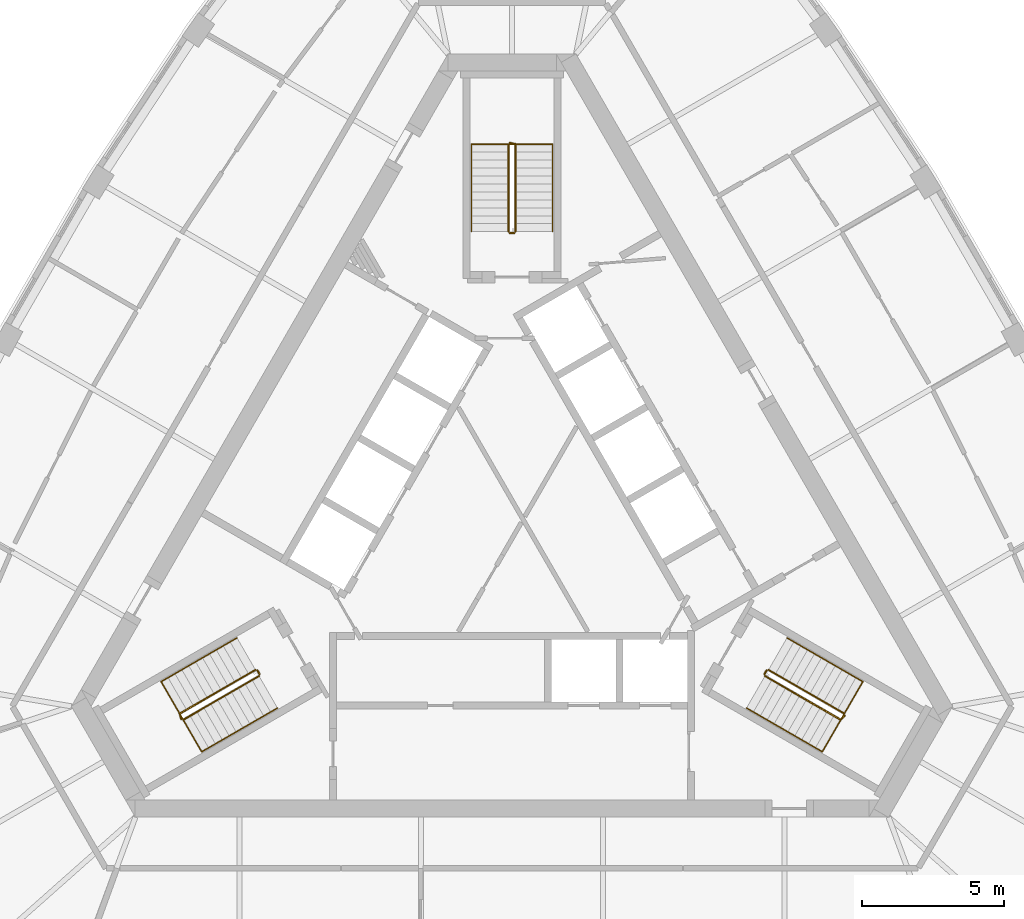
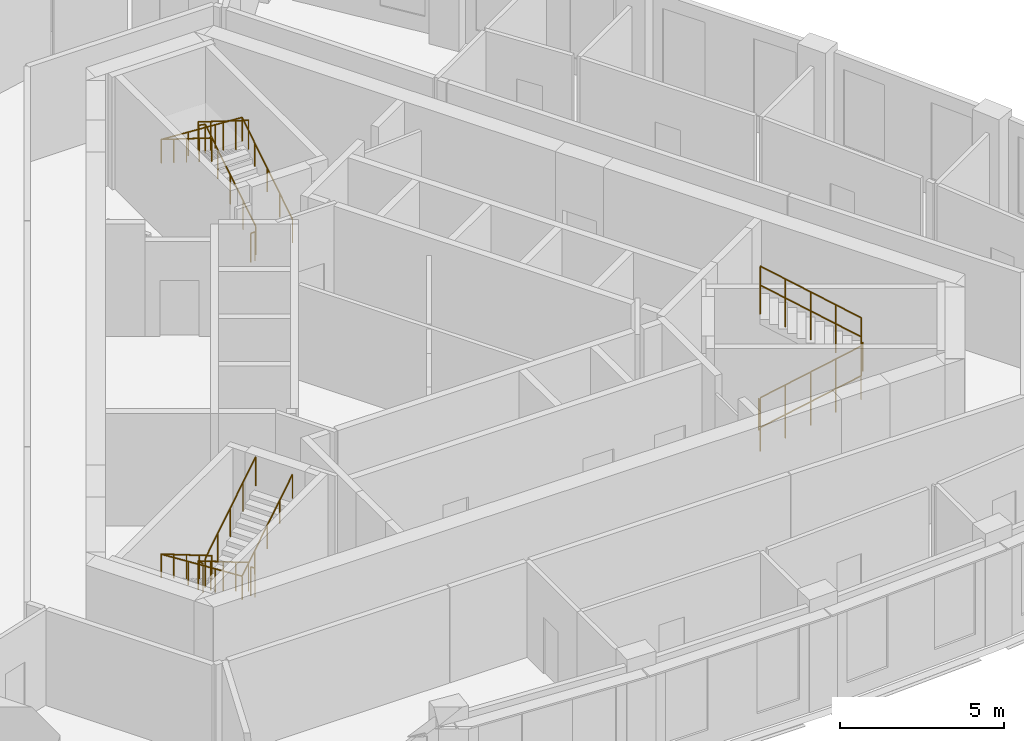
# One storey, part 10 of 10: 12 railings.
"""IFC4 building model written with IfcOpenShell, lengths in metres."""

from ifc_helpers import new_model, si_unit, direction, frame, origin, origin_2d, place, context, subcontext, project, spatial, circle, extrude, material, type_object, element, save


model = new_model("IFC4")

# Units and contexts
model_context = context("Model", 3, precision=1e-05, world=origin(), true_north=direction((0.0, 1.0)))
body_context = subcontext(model_context, "Body", "Model", "MODEL_VIEW")
ifc_project = project(units=[si_unit("LENGTHUNIT", "METRE"), si_unit("AREAUNIT", "SQUARE_METRE"), si_unit("VOLUMEUNIT", "CUBIC_METRE"), si_unit("PLANEANGLEUNIT", "RADIAN"), si_unit("MASSUNIT", "GRAM", prefix="KILO")], contexts=[model_context])

# Site, building, storey
site_placement = place(None, origin())
site = spatial("IfcSite", under=ifc_project, at=site_placement, CompositionType="ELEMENT")
building_placement = place(site_placement, origin())
building = spatial("IfcBuilding", under=site, at=building_placement, Name="Mestral Congress Tower", CompositionType="ELEMENT")
storey_placement = place(building_placement, frame((0.0, 0.0, 275.39990234375)))
storey = spatial("IfcBuildingStorey", under=building, at=storey_placement, Name="L64", CompositionType="ELEMENT", Elevation=275.39990234375)

# Railings
ifc_material_1 = material(Name="Steel balustrade", Category="steel")
railing_type_1 = type_object("IfcRailingType", Name="Stair guard 1100", PredefinedType="GUARDRAIL", material=ifc_material_1)
railing_1_placement = place(storey_placement, frame((8.90087890625, -5.283203125, 0.175048828125)))
element("IfcRailing", 1, at=railing_1_placement, inside=storey, type_object=railing_type_1, Name="L64 ST1 stair guard 1", PredefinedType="GUARDRAIL", context=body_context, shape_type="SweptSolid", body=[
    extrude(circle(Radius=0.02392578125, at=origin_2d()), frame((0.0, 0.0, 1.076171875), z_axis=(0.734364028329, -0.424015404183, 0.530019255228), x_axis=(0.500026652407, 0.866010015463, 0.0)), (0.0, 0.0, 1.0), 3.632080078125),
    extrude(circle(Radius=0.02392578125, at=origin_2d()), frame((2.667236328125, -1.5400390625, 3.0009765625), z_axis=(0.695164929852, 0.718850276695, 0.0), x_axis=(-0.718850276695, 0.695164929852, 0.0)), (0.0, 0.0, 1.0), 0.2060546875),
    extrude(circle(Radius=0.02099609375, at=origin_2d()), origin(), (0.0, 0.0, 1.0), 1.052001953125),
    extrude(circle(Radius=0.02099609375, at=origin_2d()), frame((0.666748046875, -0.385009765625, 0.481201171875)), (0.0, 0.0, 1.0), 1.052001953125),
    extrude(circle(Radius=0.02099609375, at=origin_2d()), frame((1.33349609375, -0.77001953125, 0.96240234375)), (0.0, 0.0, 1.0), 1.052001953125),
    extrude(circle(Radius=0.02099609375, at=origin_2d()), frame((2.00048828125, -1.155029296875, 1.44384765625)), (0.0, 0.0, 1.0), 1.052001953125),
    extrude(circle(Radius=0.02099609375, at=origin_2d()), frame((2.667236328125, -1.5400390625, 1.925048828125)), (0.0, 0.0, 1.0), 1.052001953125),
    extrude(circle(Radius=0.02099609375, at=origin_2d()), frame((2.810546875, -1.391845703125, 1.925048828125)), (0.0, 0.0, 1.0), 1.052001953125),
])
railing_2_placement = place(storey_placement, frame((11.693115234375, -6.606689453125, 2.275146484375)))
element("IfcRailing", 2, at=railing_2_placement, inside=storey, type_object=railing_type_1, Name="L64 ST1 stair guard 2", PredefinedType="GUARDRAIL", context=body_context, shape_type="SweptSolid", body=[
    extrude(circle(Radius=0.02392578125, at=origin_2d()), frame((0.0, 0.0, 1.076171875), z_axis=(-0.734364028329, 0.424015404183, 0.530019255228), x_axis=(-0.500026652407, -0.866010015463, 0.0)), (0.0, 0.0, 1.0), 3.632080078125),
    extrude(circle(Radius=0.02099609375, at=origin_2d()), origin(), (0.0, 0.0, 1.0), 1.052001953125),
    extrude(circle(Radius=0.02099609375, at=origin_2d()), frame((-0.666748046875, 0.385009765625, 0.481201171875)), (0.0, 0.0, 1.0), 1.052001953125),
    extrude(circle(Radius=0.02099609375, at=origin_2d()), frame((-1.33349609375, 0.77001953125, 0.96240234375)), (0.0, 0.0, 1.0), 1.052001953125),
    extrude(circle(Radius=0.02099609375, at=origin_2d()), frame((-2.00048828125, 1.155029296875, 1.44384765625)), (0.0, 0.0, 1.0), 1.052001953125),
    extrude(circle(Radius=0.02099609375, at=origin_2d()), frame((-2.667236328125, 1.5400390625, 1.925048828125)), (0.0, 0.0, 1.0), 1.052001953125),
])
railing_3_placement = place(storey_placement, frame((8.882568359375, -5.21484375, 0.0)))
element("IfcRailing", 3, at=railing_3_placement, inside=storey, type_object=railing_type_1, Name="L64 ST1 stair guard 3", PredefinedType="GUARDRAIL", context=body_context, shape_type="SweptSolid", body=[
    extrude(circle(Radius=0.02392578125, at=origin_2d()), frame((0.0, 0.0, 1.076171875), z_axis=(0.499816412211, 0.866131372301, 0.0), x_axis=(-0.866131372301, 0.499816412211, 0.0)), (0.0, 0.0, 1.0), 0.14990234375),
    extrude(circle(Radius=0.02099609375, at=origin_2d()), origin(), (0.0, 0.0, 1.0), 1.052001953125),
    extrude(circle(Radius=0.02099609375, at=origin_2d()), frame((0.074951171875, 0.1298828125, 0.0)), (0.0, 0.0, 1.0), 1.052001953125),
])
railing_4_placement = place(storey_placement, frame((0.125, 10.35009765625, 0.175048828125)))
element("IfcRailing", 4, at=railing_4_placement, inside=storey, type_object=railing_type_1, Name="L64 ST2 stair guard 1", PredefinedType="GUARDRAIL", context=body_context, shape_type="SweptSolid", body=[
    extrude(circle(Radius=0.02392578125, at=origin_2d()), frame((0.0, 0.0, 1.076171875), z_axis=(0.0, 0.847979421464, 0.530029150871), x_axis=(-1.0, 0.0, 0.0)), (0.0, 0.0, 1.0), 3.632080078125),
    extrude(circle(Radius=0.02392578125, at=origin_2d()), frame((0.0, 3.079833984375, 3.0009765625), z_axis=(-0.970072785993, 0.242814311512, 0.0), x_axis=(-0.242814311512, -0.970072785993, 0.0)), (0.0, 0.0, 1.0), 0.2060546875),
    extrude(circle(Radius=0.02099609375, at=origin_2d()), origin(), (0.0, 0.0, 1.0), 1.052001953125),
    extrude(circle(Radius=0.02099609375, at=origin_2d()), frame((0.0, 0.77001953125, 0.481201171875)), (0.0, 0.0, 1.0), 1.052001953125),
    extrude(circle(Radius=0.02099609375, at=origin_2d()), frame((0.0, 1.5400390625, 0.96240234375)), (0.0, 0.0, 1.0), 1.052001953125),
    extrude(circle(Radius=0.02099609375, at=origin_2d()), frame((0.0, 2.309814453125, 1.44384765625)), (0.0, 0.0, 1.0), 1.052001953125),
    extrude(circle(Radius=0.02099609375, at=origin_2d()), frame((0.0, 3.079833984375, 1.925048828125)), (0.0, 0.0, 1.0), 1.052001953125),
    extrude(circle(Radius=0.02099609375, at=origin_2d()), frame((-0.199951171875, 3.1298828125, 1.925048828125)), (0.0, 0.0, 1.0), 1.052001953125),
])
railing_5_placement = place(storey_placement, frame((-0.125, 13.429931640625, 2.275146484375)))
element("IfcRailing", 5, at=railing_5_placement, inside=storey, type_object=railing_type_1, Name="L64 ST2 stair guard 2", PredefinedType="GUARDRAIL", context=body_context, shape_type="SweptSolid", body=[
    extrude(circle(Radius=0.02392578125, at=origin_2d()), frame((0.0, 0.0, 1.076171875), z_axis=(0.0, -0.847979421464, 0.530029150871), x_axis=(1.0, 0.0, 0.0)), (0.0, 0.0, 1.0), 3.632080078125),
    extrude(circle(Radius=0.02099609375, at=origin_2d()), origin(), (0.0, 0.0, 1.0), 1.052001953125),
    extrude(circle(Radius=0.02099609375, at=origin_2d()), frame((0.0, -0.77001953125, 0.481201171875)), (0.0, 0.0, 1.0), 1.052001953125),
    extrude(circle(Radius=0.02099609375, at=origin_2d()), frame((0.0, -1.5400390625, 0.96240234375)), (0.0, 0.0, 1.0), 1.052001953125),
    extrude(circle(Radius=0.02099609375, at=origin_2d()), frame((0.0, -2.309814453125, 1.44384765625)), (0.0, 0.0, 1.0), 1.052001953125),
    extrude(circle(Radius=0.02099609375, at=origin_2d()), frame((0.0, -3.079833984375, 1.925048828125)), (0.0, 0.0, 1.0), 1.052001953125),
])
railing_6_placement = place(storey_placement, frame((0.074951171875, 10.300048828125, 0.0)))
element("IfcRailing", 6, at=railing_6_placement, inside=storey, type_object=railing_type_1, Name="L64 ST2 stair guard 3", PredefinedType="GUARDRAIL", context=body_context, shape_type="SweptSolid", body=[
    extrude(circle(Radius=0.02392578125, at=origin_2d()), frame((0.0, 0.0, 1.076171875), z_axis=(-1.0, 0.0, 0.0), x_axis=(0.0, -1.0, 0.0)), (0.0, 0.0, 1.0), 0.14990234375),
    extrude(circle(Radius=0.02099609375, at=origin_2d()), origin(), (0.0, 0.0, 1.0), 1.052001953125),
    extrude(circle(Radius=0.02099609375, at=origin_2d()), frame((-0.14990234375, 0.0, 0.0)), (0.0, 0.0, 1.0), 1.052001953125),
])
railing_7_placement = place(storey_placement, frame((-9.02587890625, -5.066650390625, 0.175048828125)))
element("IfcRailing", 7, at=railing_7_placement, inside=storey, type_object=railing_type_1, Name="L64 ST3 stair guard 1", PredefinedType="GUARDRAIL", context=body_context, shape_type="SweptSolid", body=[
    extrude(circle(Radius=0.02392578125, at=origin_2d()), frame((0.0, 0.0, 1.076171875), z_axis=(-0.734364028329, -0.424015404183, 0.530019255228), x_axis=(0.500026652407, -0.866010015463, 0.0)), (0.0, 0.0, 1.0), 3.632080078125),
    extrude(circle(Radius=0.02392578125, at=origin_2d()), frame((-2.667236328125, -1.5400390625, 3.0009765625), z_axis=(0.274721127897, -0.961523947641, 0.0), x_axis=(0.961523947641, 0.274721127897, 0.0)), (0.0, 0.0, 1.0), 0.2060546875),
    extrude(circle(Radius=0.02099609375, at=origin_2d()), origin(), (0.0, 0.0, 1.0), 1.052001953125),
    extrude(circle(Radius=0.02099609375, at=origin_2d()), frame((-0.666748046875, -0.385009765625, 0.481201171875)), (0.0, 0.0, 1.0), 1.052001953125),
    extrude(circle(Radius=0.02099609375, at=origin_2d()), frame((-1.33349609375, -0.77001953125, 0.96240234375)), (0.0, 0.0, 1.0), 1.052001953125),
    extrude(circle(Radius=0.02099609375, at=origin_2d()), frame((-2.00048828125, -1.155029296875, 1.44384765625)), (0.0, 0.0, 1.0), 1.052001953125),
    extrude(circle(Radius=0.02099609375, at=origin_2d()), frame((-2.667236328125, -1.5400390625, 1.925048828125)), (0.0, 0.0, 1.0), 1.052001953125),
    extrude(circle(Radius=0.02099609375, at=origin_2d()), frame((-2.610595703125, -1.73828125, 1.925048828125)), (0.0, 0.0, 1.0), 1.052001953125),
])
railing_8_placement = place(storey_placement, frame((-11.568115234375, -6.8232421875, 2.275146484375)))
element("IfcRailing", 8, at=railing_8_placement, inside=storey, type_object=railing_type_1, Name="L64 ST3 stair guard 2", PredefinedType="GUARDRAIL", context=body_context, shape_type="SweptSolid", body=[
    extrude(circle(Radius=0.02392578125, at=origin_2d()), frame((0.0, 0.0, 1.076171875), z_axis=(0.734364028329, 0.424015404183, 0.530019255228), x_axis=(-0.500026652407, 0.866010015463, 0.0)), (0.0, 0.0, 1.0), 3.632080078125),
    extrude(circle(Radius=0.02099609375, at=origin_2d()), origin(), (0.0, 0.0, 1.0), 1.052001953125),
    extrude(circle(Radius=0.02099609375, at=origin_2d()), frame((0.666748046875, 0.385009765625, 0.481201171875)), (0.0, 0.0, 1.0), 1.052001953125),
    extrude(circle(Radius=0.02099609375, at=origin_2d()), frame((1.33349609375, 0.77001953125, 0.96240234375)), (0.0, 0.0, 1.0), 1.052001953125),
    extrude(circle(Radius=0.02099609375, at=origin_2d()), frame((2.00048828125, 1.155029296875, 1.44384765625)), (0.0, 0.0, 1.0), 1.052001953125),
    extrude(circle(Radius=0.02099609375, at=origin_2d()), frame((2.667236328125, 1.5400390625, 1.925048828125)), (0.0, 0.0, 1.0), 1.052001953125),
])
railing_9_placement = place(storey_placement, frame((-8.95751953125, -5.0849609375, 0.0)))
element("IfcRailing", 9, at=railing_9_placement, inside=storey, type_object=railing_type_1, Name="L64 ST3 stair guard 3", PredefinedType="GUARDRAIL", context=body_context, shape_type="SweptSolid", body=[
    extrude(circle(Radius=0.02392578125, at=origin_2d()), frame((0.0, 0.0, 1.076171875), z_axis=(0.499816412211, -0.866131372301, 0.0), x_axis=(0.866131372301, 0.499816412211, 0.0)), (0.0, 0.0, 1.0), 0.14990234375),
    extrude(circle(Radius=0.02099609375, at=origin_2d()), origin(), (0.0, 0.0, 1.0), 1.052001953125),
    extrude(circle(Radius=0.02099609375, at=origin_2d()), frame((0.074951171875, -0.1298828125, 0.0)), (0.0, 0.0, 1.0), 1.052001953125),
])
ifc_material_2 = material(Name="Steel handrail", Category="steel")
railing_type_2 = type_object("IfcRailingType", Name="Stair handrail 900", PredefinedType="HANDRAIL", material=ifc_material_2)
railing_10_placement = place(storey_placement, frame((8.2509765625, -6.4091796875, 0.175048828125)))
element("IfcRailing", 10, at=railing_10_placement, inside=storey, type_object=railing_type_2, Name="L64 ST1 stair handrail 1", PredefinedType="HANDRAIL", context=body_context, shape_type="SweptSolid", body=[
    extrude(circle(Radius=0.02392578125, at=origin_2d()), frame((0.0, 0.0, 0.8759765625), z_axis=(0.734384958227, -0.423960268333, 0.530034361155), x_axis=(0.499967199496, 0.866044340336, 0.0)), (0.0, 0.0, 1.0), 3.6318359375),
    extrude(circle(Radius=0.02392578125, at=origin_2d()), frame((2.667236328125, -1.539794921875, 2.80078125), z_axis=(0.499095769026, 0.864375386171, 0.061307463833), x_axis=(-0.866004402611, 0.500036373335, 0.0)), (0.0, 0.0, 1.0), 2.855224609375),
    extrude(circle(Radius=0.02392578125, at=origin_2d()), frame((4.09228515625, 0.92822265625, 2.97607421875), z_axis=(-0.734394994316, 0.423994474112, 0.52999309264), x_axis=(-0.499992328818, -0.866029832698, 0.0)), (0.0, 0.0, 1.0), 3.63232421875),
    extrude(circle(Radius=0.02099609375, at=origin_2d()), origin(), (0.0, 0.0, 1.0), 0.851806640625),
    extrude(circle(Radius=0.02099609375, at=origin_2d()), frame((0.666748046875, -0.385009765625, 0.481201171875)), (0.0, 0.0, 1.0), 0.851806640625),
    extrude(circle(Radius=0.02099609375, at=origin_2d()), frame((1.33349609375, -0.77001953125, 0.96240234375)), (0.0, 0.0, 1.0), 0.851806640625),
    extrude(circle(Radius=0.02099609375, at=origin_2d()), frame((2.00048828125, -1.15478515625, 1.44384765625)), (0.0, 0.0, 1.0), 0.851806640625),
    extrude(circle(Radius=0.02099609375, at=origin_2d()), frame((2.667236328125, -1.539794921875, 1.925048828125)), (0.0, 0.0, 1.0), 0.851806640625),
    extrude(circle(Radius=0.02099609375, at=origin_2d()), frame((3.142333984375, -0.717041015625, 1.9833984375)), (0.0, 0.0, 1.0), 0.851806640625),
    extrude(circle(Radius=0.02099609375, at=origin_2d()), frame((3.6171875, 0.10546875, 2.041748046875)), (0.0, 0.0, 1.0), 0.851806640625),
    extrude(circle(Radius=0.02099609375, at=origin_2d()), frame((4.09228515625, 0.92822265625, 2.10009765625)), (0.0, 0.0, 1.0), 0.851806640625),
    extrude(circle(Radius=0.02099609375, at=origin_2d()), frame((3.42529296875, 1.313232421875, 2.581298828125)), (0.0, 0.0, 1.0), 0.851806640625),
    extrude(circle(Radius=0.02099609375, at=origin_2d()), frame((2.758544921875, 1.6982421875, 3.0625)), (0.0, 0.0, 1.0), 0.851806640625),
    extrude(circle(Radius=0.02099609375, at=origin_2d()), frame((2.091796875, 2.083251953125, 3.5439453125)), (0.0, 0.0, 1.0), 0.851806640625),
    extrude(circle(Radius=0.02099609375, at=origin_2d()), frame((1.4248046875, 2.46826171875, 4.025146484375)), (0.0, 0.0, 1.0), 0.851806640625),
])
railing_11_placement = place(storey_placement, frame((1.425048828125, 10.35009765625, 0.175048828125)))
element("IfcRailing", 11, at=railing_11_placement, inside=storey, type_object=railing_type_2, Name="L64 ST2 stair handrail 1", PredefinedType="HANDRAIL", context=body_context, shape_type="SweptSolid", body=[
    extrude(circle(Radius=0.02392578125, at=origin_2d()), frame((0.0, 0.0, 0.8759765625), z_axis=(0.0, 0.847979421464, 0.530029150871), x_axis=(-1.0, 0.0, 0.0)), (0.0, 0.0, 1.0), 3.632080078125),
    extrude(circle(Radius=0.02392578125, at=origin_2d()), frame((0.0, 3.079833984375, 2.80078125), z_axis=(-0.998119201106, 0.0, 0.061303021003), x_axis=(0.0, -1.0, 0.0)), (0.0, 0.0, 1.0), 2.85546875),
    extrude(circle(Radius=0.02392578125, at=origin_2d()), frame((-2.85009765625, 3.079833984375, 2.97607421875), z_axis=(0.0, -0.847979421464, 0.530029150871), x_axis=(1.0, 0.0, 0.0)), (0.0, 0.0, 1.0), 3.632080078125),
    extrude(circle(Radius=0.02099609375, at=origin_2d()), origin(), (0.0, 0.0, 1.0), 0.851806640625),
    extrude(circle(Radius=0.02099609375, at=origin_2d()), frame((0.0, 0.77001953125, 0.481201171875)), (0.0, 0.0, 1.0), 0.851806640625),
    extrude(circle(Radius=0.02099609375, at=origin_2d()), frame((0.0, 1.5400390625, 0.96240234375)), (0.0, 0.0, 1.0), 0.851806640625),
    extrude(circle(Radius=0.02099609375, at=origin_2d()), frame((0.0, 2.309814453125, 1.44384765625)), (0.0, 0.0, 1.0), 0.851806640625),
    extrude(circle(Radius=0.02099609375, at=origin_2d()), frame((0.0, 3.079833984375, 1.925048828125)), (0.0, 0.0, 1.0), 0.851806640625),
    extrude(circle(Radius=0.02099609375, at=origin_2d()), frame((-0.949951171875, 3.079833984375, 1.9833984375)), (0.0, 0.0, 1.0), 0.851806640625),
    extrude(circle(Radius=0.02099609375, at=origin_2d()), frame((-1.900146484375, 3.079833984375, 2.041748046875)), (0.0, 0.0, 1.0), 0.851806640625),
    extrude(circle(Radius=0.02099609375, at=origin_2d()), frame((-2.85009765625, 3.079833984375, 2.10009765625)), (0.0, 0.0, 1.0), 0.851806640625),
    extrude(circle(Radius=0.02099609375, at=origin_2d()), frame((-2.85009765625, 2.309814453125, 2.581298828125)), (0.0, 0.0, 1.0), 0.851806640625),
    extrude(circle(Radius=0.02099609375, at=origin_2d()), frame((-2.85009765625, 1.5400390625, 3.0625)), (0.0, 0.0, 1.0), 0.851806640625),
    extrude(circle(Radius=0.02099609375, at=origin_2d()), frame((-2.85009765625, 0.77001953125, 3.5439453125)), (0.0, 0.0, 1.0), 0.851806640625),
    extrude(circle(Radius=0.02099609375, at=origin_2d()), frame((-2.85009765625, 0.0, 4.025146484375)), (0.0, 0.0, 1.0), 0.851806640625),
])
railing_12_placement = place(storey_placement, frame((-9.67578125, -3.94091796875, 0.175048828125)))
element("IfcRailing", 12, at=railing_12_placement, inside=storey, type_object=railing_type_2, Name="L64 ST3 stair handrail 1", PredefinedType="HANDRAIL", context=body_context, shape_type="SweptSolid", body=[
    extrude(circle(Radius=0.02392578125, at=origin_2d()), frame((0.0, 0.0, 0.8759765625), z_axis=(-0.734394994316, -0.423994474112, 0.52999309264), x_axis=(0.499992328818, -0.866029832698, 0.0)), (0.0, 0.0, 1.0), 3.63232421875),
    extrude(circle(Radius=0.02392578125, at=origin_2d()), frame((-2.66748046875, -1.5400390625, 2.80078125), z_axis=(0.499095769026, -0.864375386171, 0.061307463833), x_axis=(0.866004402611, 0.500036373335, 0.0)), (0.0, 0.0, 1.0), 2.855224609375),
    extrude(circle(Radius=0.02392578125, at=origin_2d()), frame((-1.242431640625, -4.008056640625, 2.97607421875), z_axis=(0.734384958227, 0.423960268333, 0.530034361155), x_axis=(-0.499967199496, 0.866044340336, 0.0)), (0.0, 0.0, 1.0), 3.6318359375),
    extrude(circle(Radius=0.02099609375, at=origin_2d()), origin(), (0.0, 0.0, 1.0), 0.851806640625),
    extrude(circle(Radius=0.02099609375, at=origin_2d()), frame((-0.6669921875, -0.385009765625, 0.481201171875)), (0.0, 0.0, 1.0), 0.851806640625),
    extrude(circle(Radius=0.02099609375, at=origin_2d()), frame((-1.333740234375, -0.77001953125, 0.96240234375)), (0.0, 0.0, 1.0), 0.851806640625),
    extrude(circle(Radius=0.02099609375, at=origin_2d()), frame((-2.00048828125, -1.155029296875, 1.44384765625)), (0.0, 0.0, 1.0), 0.851806640625),
    extrude(circle(Radius=0.02099609375, at=origin_2d()), frame((-2.66748046875, -1.5400390625, 1.925048828125)), (0.0, 0.0, 1.0), 0.851806640625),
    extrude(circle(Radius=0.02099609375, at=origin_2d()), frame((-2.1923828125, -2.36279296875, 1.9833984375)), (0.0, 0.0, 1.0), 0.851806640625),
    extrude(circle(Radius=0.02099609375, at=origin_2d()), frame((-1.717529296875, -3.185302734375, 2.041748046875)), (0.0, 0.0, 1.0), 0.851806640625),
    extrude(circle(Radius=0.02099609375, at=origin_2d()), frame((-1.242431640625, -4.008056640625, 2.10009765625)), (0.0, 0.0, 1.0), 0.851806640625),
    extrude(circle(Radius=0.02099609375, at=origin_2d()), frame((-0.57568359375, -3.623046875, 2.581298828125)), (0.0, 0.0, 1.0), 0.851806640625),
    extrude(circle(Radius=0.02099609375, at=origin_2d()), frame((0.09130859375, -3.23828125, 3.0625)), (0.0, 0.0, 1.0), 0.851806640625),
    extrude(circle(Radius=0.02099609375, at=origin_2d()), frame((0.758056640625, -2.853271484375, 3.5439453125)), (0.0, 0.0, 1.0), 0.851806640625),
    extrude(circle(Radius=0.02099609375, at=origin_2d()), frame((1.4248046875, -2.46826171875, 4.025146484375)), (0.0, 0.0, 1.0), 0.851806640625),
])

save(model, "model.ifc")
